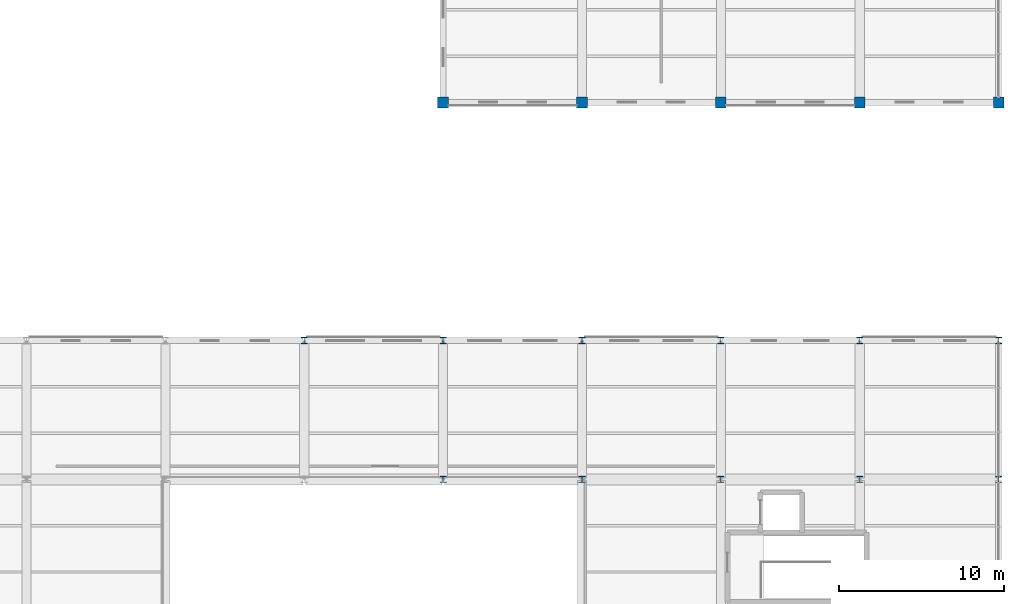
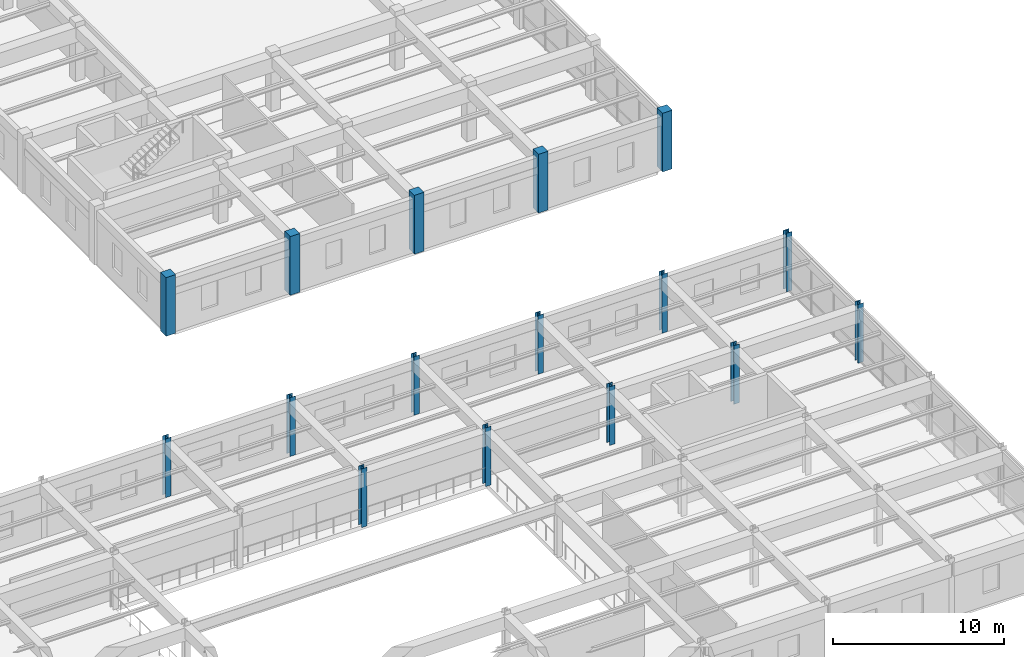
# One storey, part 8 of 138: 16 columns.
"""IFC4 building model written with IfcOpenShell, lengths in metres."""

from ifc_helpers import new_model, si_unit, direction, frame, origin, origin_2d, place, context, subcontext, project, spatial, rectangle, i_section, extrude, material, material_profile, profile_set, type_object, element, save


model = new_model("IFC4")

# Units and contexts
model_context = context("Model", 3, precision=1e-05, world=origin(), true_north=direction((0.0, 1.0)))
body_context = subcontext(model_context, "Body", "Model", "MODEL_VIEW")
ifc_project = project(units=[si_unit("LENGTHUNIT", "METRE"), si_unit("AREAUNIT", "SQUARE_METRE"), si_unit("VOLUMEUNIT", "CUBIC_METRE"), si_unit("PLANEANGLEUNIT", "RADIAN"), si_unit("MASSUNIT", "GRAM", prefix="KILO"), si_unit("THERMODYNAMICTEMPERATUREUNIT", "KELVIN"), si_unit("POWERUNIT", "WATT")], contexts=[model_context])

# Site, building, storey
site_placement = place(None, origin())
site = spatial("IfcSite", under=ifc_project, at=site_placement, CompositionType="ELEMENT")
building_placement = place(site_placement, origin())
building = spatial("IfcBuilding", under=site, at=building_placement, Name="Darbajah Civic Hall", CompositionType="ELEMENT")
storey_placement = place(building_placement, frame((0.0, 0.0, 9.60009765625)))
storey = spatial("IfcBuildingStorey", under=building, at=storey_placement, Name="L02", CompositionType="ELEMENT", Elevation=9.60009765625)

# Columns
ifc_material_1 = material(Name="Concrete C45/55", Category="concrete")
ifc_material_profile_1 = material_profile(ifc_material_1, rectangle(XDim=0.64990234375, YDim=0.64990234375, at=origin_2d()), Name="RC COL 650x650")
ifc_profile_set_1 = profile_set([ifc_material_profile_1], Name="Concrete C45/55")
column_type_1 = type_object("IfcColumnType", Name="RC COL 650x650", PredefinedType="COLUMN", material=ifc_profile_set_1)
for number, where, z_axis, x_axis, name in (
    (1, (144.60009765625, 56.39990234375, 0.0), (0.0, 0.0, 1.0), (1.0, 0.0, 0.0), "L02 column C-RC650"),
    (2, (153.0, 56.39990234375, 0.0), (0.0, 0.0, 1.0), (1.0, 0.0, 0.0), "L02 column C-RC650"),
    (3, (161.39990234375, 56.39990234375, 0.0), (0.0, 0.0, 1.0), (1.0, 0.0, 0.0), "L02 column C-RC650"),
    (4, (169.800048828125, 56.39990234375, 0.0), (0.0, 0.0, 1.0), (1.0, 0.0, 0.0), "L02 column C-RC650"),
    (5, (178.199951171875, 56.39990234375, 0.0), (0.0, 0.0, 1.0), (1.0, 0.0, 0.0), "L02 column C-RC650"),
):
    element("IfcColumn", number, at=place(storey_placement, frame(where, z_axis=z_axis, x_axis=x_axis)), inside=storey, type_object=column_type_1, Name=name, PredefinedType="COLUMN", context=body_context, shape_type="SweptSolid", body=[
        extrude(rectangle(XDim=0.64990234375, YDim=0.64990234375, at=origin_2d()), origin(), (0.0, 0.0, 1.0), 4.199951171875),
    ])
ifc_material_2 = material(Name="Steel S355JR", Category="steel")
ifc_material_profile_2 = material_profile(ifc_material_2, i_section(OverallWidth=0.37255859375, OverallDepth=0.3681640625, WebThickness=0.014404296875, FlangeThickness=0.023681640625, FilletRadius=0.01513671875, at=origin_2d()), Name="UC 356x368x177")
ifc_profile_set_2 = profile_set([ifc_material_profile_2], Name="Steel S355JR")
column_type_2 = type_object("IfcColumnType", Name="UC 356x368x177", PredefinedType="COLUMN", material=ifc_profile_set_2)
for number, where, z_axis, x_axis, name in (
    (6, (136.199951171875, 42.0, 0.0), (0.0, 0.0, 1.0), (1.0, 0.0, 0.0), "L02 column C-UC356"),
    (7, (144.60009765625, 33.60009765625, 0.0), (0.0, 0.0, 1.0), (1.0, 0.0, 0.0), "L02 column C-UC356"),
    (8, (144.60009765625, 42.0, 0.0), (0.0, 0.0, 1.0), (1.0, 0.0, 0.0), "L02 column C-UC356"),
    (9, (153.0, 33.60009765625, 0.0), (0.0, 0.0, 1.0), (1.0, 0.0, 0.0), "L02 column C-UC356"),
    (10, (153.0, 42.0, 0.0), (0.0, 0.0, 1.0), (1.0, 0.0, 0.0), "L02 column C-UC356"),
    (11, (161.39990234375, 33.60009765625, 0.0), (0.0, 0.0, 1.0), (1.0, 0.0, 0.0), "L02 column C-UC356"),
    (12, (161.39990234375, 42.0, 0.0), (0.0, 0.0, 1.0), (1.0, 0.0, 0.0), "L02 column C-UC356"),
    (13, (169.800048828125, 33.60009765625, 0.0), (0.0, 0.0, 1.0), (1.0, 0.0, 0.0), "L02 column C-UC356"),
    (14, (169.800048828125, 42.0, 0.0), (0.0, 0.0, 1.0), (1.0, 0.0, 0.0), "L02 column C-UC356"),
    (15, (178.199951171875, 33.60009765625, 0.0), (0.0, 0.0, 1.0), (1.0, 0.0, 0.0), "L02 column C-UC356"),
    (16, (178.199951171875, 42.0, 0.0), (0.0, 0.0, 1.0), (1.0, 0.0, 0.0), "L02 column C-UC356"),
):
    element("IfcColumn", number, at=place(storey_placement, frame(where, z_axis=z_axis, x_axis=x_axis)), inside=storey, type_object=column_type_2, Name=name, PredefinedType="COLUMN", context=body_context, shape_type="SweptSolid", body=[
        extrude(i_section(OverallWidth=0.37255859375, OverallDepth=0.3681640625, WebThickness=0.014404296875, FlangeThickness=0.023681640625, FilletRadius=0.01513671875, at=origin_2d()), origin(), (0.0, 0.0, 1.0), 4.199951171875),
    ])

save(model, "model.ifc")
